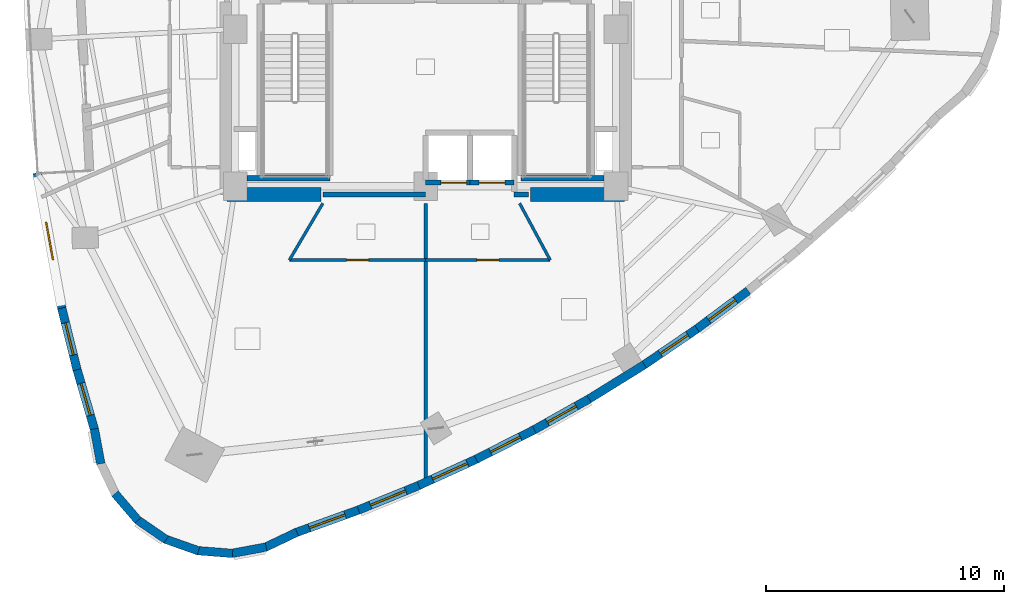
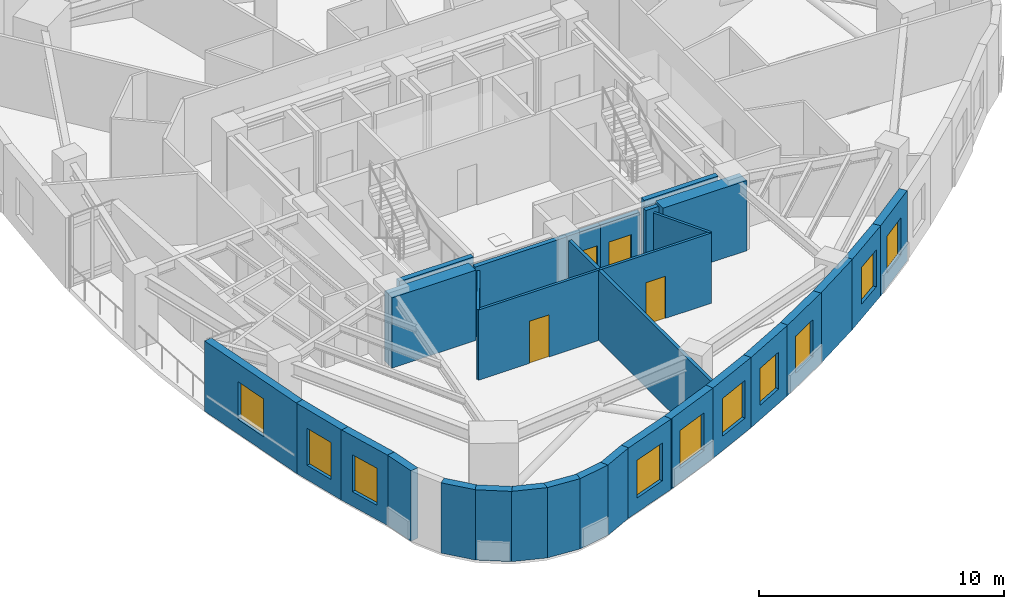
# One storey, part 6 of 13: 31 walls, 10 windows, 4 doors, 14 openings.
"""IFC4 building model written with IfcOpenShell, lengths in metres."""

from ifc_helpers import new_model, si_unit, direction, frame, frame_2d, origin, place, context, subcontext, project, spatial, rectangle, extrude, material, layer, layer_set, type_object, element, fill, save


model = new_model("IFC4")

# Units and contexts
model_context = context("Model", 3, precision=1e-05, world=origin(), true_north=direction((0.0, 1.0)))
body_context = subcontext(model_context, "Body", "Model", "MODEL_VIEW")
ifc_project = project(units=[si_unit("LENGTHUNIT", "METRE"), si_unit("AREAUNIT", "SQUARE_METRE"), si_unit("VOLUMEUNIT", "CUBIC_METRE"), si_unit("PLANEANGLEUNIT", "RADIAN"), si_unit("MASSUNIT", "GRAM", prefix="KILO")], contexts=[model_context])

# Site, building, storey
site_placement = place(None, origin())
site = spatial("IfcSite", under=ifc_project, at=site_placement, CompositionType="ELEMENT")
building_placement = place(site_placement, origin())
building = spatial("IfcBuilding", under=site, at=building_placement, Name="Ndelora Gate Hotel", CompositionType="ELEMENT")
storey_placement = place(building_placement, frame((0.0, 0.0, 134.75)))
storey = spatial("IfcBuildingStorey", under=building, at=storey_placement, Name="L33", CompositionType="ELEMENT", Elevation=134.75)

# Wall, opening, window
ifc_material_1 = material(Name="Clay Brick Masonry", Category="masonry")
ifc_layer_1 = layer(ifc_material_1, 0.360107421875)
ifc_layer_set_1 = layer_set([ifc_layer_1], Name="Clay Brick Masonry")
wall_type_1 = type_object("IfcWallType", Name="WL-BRICK-360", PredefinedType="SOLIDWALL", material=ifc_layer_set_1)
wall_1_placement = place(storey_placement, frame((-15.283935546875, -11.77099609375, 0.0), z_axis=(0.0, 0.0, 1.0), x_axis=(-0.178697394158, 0.983904081362, 0.0)))
wall_1 = element("IfcWall", 1, at=wall_1_placement, inside=storey, type_object=wall_type_1, Name="L33 Tower Brick Pier-and-Spandrel Wall TWR-16", PredefinedType="SOLIDWALL", context=body_context, shape_type="SweptSolid", body=[
    extrude(rectangle(XDim=5.826904296875, YDim=0.360107421875, at=frame_2d((2.91357421875, 0.0))), origin(), (0.0, 0.0, 1.0), 3.5),
])
opening_1_placement = place(wall_1_placement, frame((2.11328125, 0.0, 0.719970703125)))
opening_1 = element("IfcOpeningElement", 2, at=opening_1_placement, cuts=wall_1, Name="Opening W01", PredefinedType="OPENING", context=body_context, shape_type="SweptSolid", body=[
    extrude(rectangle(XDim=1.60009765625, YDim=1.8798828125, at=frame_2d((0.800048828125, 0.93994140625))), frame((0.0, 0.18994140625, 0.0), z_axis=(0.0, -1.0, 0.0), x_axis=(1.0, 0.0, 0.0)), (0.0, 0.0, 1.0), 0.380126953125),
])
ifc_material_2 = material(Name="Insulated Low-E Double Glazing in Bronze Aluminium Frame", Category="aluminium")
window_type_1 = type_object("IfcWindowType", Name="WN-DEEP-1600", PartitioningType="SINGLE_PANEL", PredefinedType="WINDOW", material=ifc_material_2)
window_1_placement = place(opening_1_placement, origin())
window_1 = element("IfcWindow", 3, at=window_1_placement, inside=storey, type_object=window_type_1, Name="L33 Deep-Set Brick-Pier Window W01", OverallHeight=1.8798828125, OverallWidth=1.60009765625, PartitioningType="SINGLE_PANEL", PredefinedType="WINDOW", context=body_context, shape_type="SweptSolid", body=[
    extrude(rectangle(XDim=1.60009765625, YDim=1.8798828125, at=frame_2d((0.800048828125, 0.93994140625))), frame((0.0, 0.030029296875, 0.0), z_axis=(0.0, -1.0, 0.0), x_axis=(1.0, 0.0, 0.0)), (0.0, 0.0, 1.0), 0.06005859375),
])
fill(opening_1, window_1)

wall_2_placement = place(storey_placement, frame((-14.64990234375, -14.312744140625, 0.0), z_axis=(0.0, 0.0, 1.0), x_axis=(-0.24143802429, 0.97041624081, 0.0)))
wall_2 = element("IfcWall", 4, at=wall_2_placement, inside=storey, type_object=wall_type_1, Name="L33 Tower Brick Pier-and-Spandrel Wall TWR-17", PredefinedType="SOLIDWALL", context=body_context, shape_type="SweptSolid", body=[
    extrude(rectangle(XDim=2.66943359375, YDim=0.360107421875, at=frame_2d((1.334716796875, 0.0))), origin(), (0.0, 0.0, 1.0), 3.5),
])
opening_2_placement = place(wall_2_placement, frame((0.634765625, 0.0, 0.719970703125)))
opening_2 = element("IfcOpeningElement", 5, at=opening_2_placement, cuts=wall_2, Name="Opening W02", PredefinedType="OPENING", context=body_context, shape_type="SweptSolid", body=[
    extrude(rectangle(XDim=1.39990234375, YDim=1.840087890625, at=frame_2d((0.699951171875, 0.919921875))), frame((0.0, 0.18994140625, 0.0), z_axis=(0.0, -1.0, 0.0), x_axis=(1.0, 0.0, 0.0)), (0.0, 0.0, 1.0), 0.380126953125),
])
window_type_2 = type_object("IfcWindowType", Name="WN-DEEP-1400", PartitioningType="SINGLE_PANEL", PredefinedType="WINDOW", material=ifc_material_2)
window_2_placement = place(opening_2_placement, origin())
window_2 = element("IfcWindow", 6, at=window_2_placement, inside=storey, type_object=window_type_2, Name="L33 Deep-Set Brick-Pier Window W02", OverallHeight=1.840087890625, OverallWidth=1.39990234375, PartitioningType="SINGLE_PANEL", PredefinedType="WINDOW", context=body_context, shape_type="SweptSolid", body=[
    extrude(rectangle(XDim=1.39990234375, YDim=1.840087890625, at=frame_2d((0.699951171875, 0.919921875))), frame((0.0, 0.030029296875, 0.0), z_axis=(0.0, -1.0, 0.0), x_axis=(1.0, 0.0, 0.0)), (0.0, 0.0, 1.0), 0.06005859375),
])
fill(opening_2, window_2)

wall_3_placement = place(storey_placement, frame((-13.91162109375, -16.84912109375, 0.0), z_axis=(0.0, 0.0, 1.0), x_axis=(-0.279174454366, 0.960240399082, 0.0)))
wall_3 = element("IfcWall", 7, at=wall_3_placement, inside=storey, type_object=wall_type_1, Name="L33 Tower Brick Pier-and-Spandrel Wall TWR-18", PredefinedType="SOLIDWALL", context=body_context, shape_type="SweptSolid", body=[
    extrude(rectangle(XDim=2.691650390625, YDim=0.360107421875, at=frame_2d((1.345703125, 0.0))), origin(), (0.0, 0.0, 1.0), 3.5),
])
opening_3_placement = place(wall_3_placement, frame((0.645751953125, 0.0, 0.719970703125)))
opening_3 = element("IfcOpeningElement", 8, at=opening_3_placement, cuts=wall_3, Name="Opening W02", PredefinedType="OPENING", context=body_context, shape_type="SweptSolid", body=[
    extrude(rectangle(XDim=1.39990234375, YDim=1.840087890625, at=frame_2d((0.699951171875, 0.919921875))), frame((0.0, 0.18994140625, 0.0), z_axis=(0.0, -1.0, 0.0), x_axis=(1.0, 0.0, 0.0)), (0.0, 0.0, 1.0), 0.380126953125),
])
window_3_placement = place(opening_3_placement, origin())
window_3 = element("IfcWindow", 9, at=window_3_placement, inside=storey, type_object=window_type_2, Name="L33 Deep-Set Brick-Pier Window W02", OverallHeight=1.840087890625, OverallWidth=1.39990234375, PartitioningType="SINGLE_PANEL", PredefinedType="WINDOW", context=body_context, shape_type="SweptSolid", body=[
    extrude(rectangle(XDim=1.39990234375, YDim=1.840087890625, at=frame_2d((0.699951171875, 0.919921875))), frame((0.0, 0.030029296875, 0.0), z_axis=(0.0, -1.0, 0.0), x_axis=(1.0, 0.0, 0.0)), (0.0, 0.0, 1.0), 0.06005859375),
])
fill(opening_3, window_3)

# Walls
wall_4_placement = place(storey_placement, frame((-13.65234375, -18.26171875, 0.0), z_axis=(0.0, 0.0, 1.0), x_axis=(-0.18235397995, 0.983232945947, 0.0)))
element("IfcWall", 10, at=wall_4_placement, inside=storey, type_object=wall_type_1, Name="L33 Tower Brick Pier-and-Spandrel Wall TWR-19", PredefinedType="SOLIDWALL", context=body_context, shape_type="SweptSolid", body=[
    extrude(rectangle(XDim=1.486083984375, YDim=0.360107421875, at=frame_2d((0.7431640625, 0.0))), origin(), (0.0, 0.0, 1.0), 3.5),
])
wall_5_placement = place(storey_placement, frame((-12.090087890625, -20.643798828125, 0.0), z_axis=(0.0, 0.0, 1.0), x_axis=(-0.649477934003, 0.760380439809, 0.0)))
element("IfcWall", 11, at=wall_5_placement, inside=storey, type_object=wall_type_1, Name="L33 Tower Brick Pier-and-Spandrel Wall TWR-21", PredefinedType="SOLIDWALL", context=body_context, shape_type="SweptSolid", body=[
    extrude(rectangle(XDim=1.48583984375, YDim=0.360107421875, at=frame_2d((0.742919921875, 0.0))), origin(), (0.0, 0.0, 1.0), 3.5),
])
wall_6_placement = place(storey_placement, frame((-10.902587890625, -21.4521484375, 0.0), z_axis=(0.0, 0.0, 1.0), x_axis=(-0.824104250472, 0.566438155808, 0.0)))
element("IfcWall", 12, at=wall_6_placement, inside=storey, type_object=wall_type_1, Name="L33 Tower Brick Pier-and-Spandrel Wall TWR-22", PredefinedType="SOLIDWALL", context=body_context, shape_type="SweptSolid", body=[
    extrude(rectangle(XDim=1.485595703125, YDim=0.360107421875, at=frame_2d((0.74267578125, 0.0))), origin(), (0.0, 0.0, 1.0), 3.5),
])
wall_7_placement = place(storey_placement, frame((-9.546142578125, -21.925537109375, 0.0), z_axis=(0.0, 0.0, 1.0), x_axis=(-0.942671384708, 0.33372243025, 0.0)))
element("IfcWall", 13, at=wall_7_placement, inside=storey, type_object=wall_type_1, Name="L33 Tower Brick Pier-and-Spandrel Wall TWR-23", PredefinedType="SOLIDWALL", context=body_context, shape_type="SweptSolid", body=[
    extrude(rectangle(XDim=1.48583984375, YDim=0.360107421875, at=frame_2d((0.742919921875, 0.0))), origin(), (0.0, 0.0, 1.0), 3.5),
])
wall_8_placement = place(storey_placement, frame((-8.113525390625, -22.03173828125, 0.0), z_axis=(0.0, 0.0, 1.0), x_axis=(-0.996922531952, 0.078393018091, 0.0)))
element("IfcWall", 14, at=wall_8_placement, inside=storey, type_object=wall_type_1, Name="L33 Tower Brick Pier-and-Spandrel Wall TWR-24", PredefinedType="SOLIDWALL", context=body_context, shape_type="SweptSolid", body=[
    extrude(rectangle(XDim=1.485595703125, YDim=0.360107421875, at=frame_2d((0.74267578125, 0.0))), origin(), (0.0, 0.0, 1.0), 3.5),
])
wall_9_placement = place(storey_placement, frame((-6.701904296875, -21.763671875, 0.0), z_axis=(0.0, 0.0, 1.0), x_axis=(-0.983262389335, -0.182195152844, 0.0)))
element("IfcWall", 15, at=wall_9_placement, inside=storey, type_object=wall_type_1, Name="L33 Tower Brick Pier-and-Spandrel Wall TWR-25", PredefinedType="SOLIDWALL", context=body_context, shape_type="SweptSolid", body=[
    extrude(rectangle(XDim=1.486083984375, YDim=0.360107421875, at=frame_2d((0.7431640625, 0.0))), origin(), (0.0, 0.0, 1.0), 3.5),
])
wall_10_placement = place(storey_placement, frame((-5.408203125, -21.139404296875, 0.0), z_axis=(0.0, 0.0, 1.0), x_axis=(-0.902586982789, -0.430507535938, 0.0)))
element("IfcWall", 16, at=wall_10_placement, inside=storey, type_object=wall_type_1, Name="L33 Tower Brick Pier-and-Spandrel Wall TWR-26", PredefinedType="SOLIDWALL", context=body_context, shape_type="SweptSolid", body=[
    extrude(rectangle(XDim=1.48583984375, YDim=0.360107421875, at=frame_2d((0.742919921875, 0.0))), origin(), (0.0, 0.0, 1.0), 3.5),
])

# Wall, opening, window
wall_11_placement = place(storey_placement, frame((-2.8193359375, -20.207763671875, 0.0), z_axis=(0.0, 0.0, 1.0), x_axis=(-0.94061266542, -0.339481683822, 0.0)))
wall_11 = element("IfcWall", 17, at=wall_11_placement, inside=storey, type_object=wall_type_1, Name="L33 Tower Brick Pier-and-Spandrel Wall TWR-27", PredefinedType="SOLIDWALL", context=body_context, shape_type="SweptSolid", body=[
    extrude(rectangle(XDim=2.801025390625, YDim=0.360107421875, at=frame_2d((1.400390625, 0.0))), origin(), (0.0, 0.0, 1.0), 3.5),
])
opening_4_placement = place(wall_11_placement, frame((0.6005859375, 0.0, 0.719970703125)))
opening_4 = element("IfcOpeningElement", 18, at=opening_4_placement, cuts=wall_11, Name="Opening W01", PredefinedType="OPENING", context=body_context, shape_type="SweptSolid", body=[
    extrude(rectangle(XDim=1.60009765625, YDim=1.8798828125, at=frame_2d((0.800048828125, 0.93994140625))), frame((0.0, 0.18994140625, 0.0), z_axis=(0.0, -1.0, 0.0), x_axis=(1.0, 0.0, 0.0)), (0.0, 0.0, 1.0), 0.380126953125),
])
window_4_placement = place(opening_4_placement, origin())
window_4 = element("IfcWindow", 19, at=window_4_placement, inside=storey, type_object=window_type_1, Name="L33 Deep-Set Brick-Pier Window W01", OverallHeight=1.8798828125, OverallWidth=1.60009765625, PartitioningType="SINGLE_PANEL", PredefinedType="WINDOW", context=body_context, shape_type="SweptSolid", body=[
    extrude(rectangle(XDim=1.60009765625, YDim=1.8798828125, at=frame_2d((0.800048828125, 0.93994140625))), frame((0.0, 0.030029296875, 0.0), z_axis=(0.0, -1.0, 0.0), x_axis=(1.0, 0.0, 0.0)), (0.0, 0.0, 1.0), 0.06005859375),
])
fill(opening_4, window_4)

wall_12_placement = place(storey_placement, frame((-0.293701171875, -19.177734375, 0.0), z_axis=(0.0, 0.0, 1.0), x_axis=(-0.926106009393, -0.377263381958, 0.0)))
wall_12 = element("IfcWall", 20, at=wall_12_placement, inside=storey, type_object=wall_type_1, Name="L33 Tower Brick Pier-and-Spandrel Wall TWR-28", PredefinedType="SOLIDWALL", context=body_context, shape_type="SweptSolid", body=[
    extrude(rectangle(XDim=2.777587890625, YDim=0.360107421875, at=frame_2d((1.388671875, 0.0))), origin(), (0.0, 0.0, 1.0), 3.5),
])
opening_5_placement = place(wall_12_placement, frame((0.5888671875, 0.0, 0.719970703125)))
opening_5 = element("IfcOpeningElement", 21, at=opening_5_placement, cuts=wall_12, Name="Opening W01", PredefinedType="OPENING", context=body_context, shape_type="SweptSolid", body=[
    extrude(rectangle(XDim=1.60009765625, YDim=1.8798828125, at=frame_2d((0.800048828125, 0.93994140625))), frame((0.0, 0.18994140625, 0.0), z_axis=(0.0, -1.0, 0.0), x_axis=(1.0, 0.0, 0.0)), (0.0, 0.0, 1.0), 0.380126953125),
])
window_5_placement = place(opening_5_placement, origin())
window_5 = element("IfcWindow", 22, at=window_5_placement, inside=storey, type_object=window_type_1, Name="L33 Deep-Set Brick-Pier Window W01", OverallHeight=1.8798828125, OverallWidth=1.60009765625, PartitioningType="SINGLE_PANEL", PredefinedType="WINDOW", context=body_context, shape_type="SweptSolid", body=[
    extrude(rectangle(XDim=1.60009765625, YDim=1.8798828125, at=frame_2d((0.800048828125, 0.93994140625))), frame((0.0, 0.030029296875, 0.0), z_axis=(0.0, -1.0, 0.0), x_axis=(1.0, 0.0, 0.0)), (0.0, 0.0, 1.0), 0.06005859375),
])
fill(opening_5, window_5)

wall_13_placement = place(storey_placement, frame((2.169677734375, -18.052001953125, 0.0), z_axis=(0.0, 0.0, 1.0), x_axis=(-0.909692365211, -0.415282796028, 0.0)))
wall_13 = element("IfcWall", 23, at=wall_13_placement, inside=storey, type_object=wall_type_1, Name="L33 Tower Brick Pier-and-Spandrel Wall TWR-29", PredefinedType="SOLIDWALL", context=body_context, shape_type="SweptSolid", body=[
    extrude(rectangle(XDim=2.75830078125, YDim=0.360107421875, at=frame_2d((1.379150390625, 0.0))), origin(), (0.0, 0.0, 1.0), 3.5),
])
opening_6_placement = place(wall_13_placement, frame((0.4599609375, 0.0, 0.719970703125)))
opening_6 = element("IfcOpeningElement", 24, at=opening_6_placement, cuts=wall_13, Name="Opening W03", PredefinedType="OPENING", context=body_context, shape_type="SweptSolid", body=[
    extrude(rectangle(XDim=1.60009765625, YDim=1.8798828125, at=frame_2d((0.800048828125, 0.93994140625))), frame((0.0, 0.18994140625, 0.0), z_axis=(0.0, -1.0, 0.0), x_axis=(1.0, 0.0, 0.0)), (0.0, 0.0, 1.0), 0.380126953125),
])
window_type_3 = type_object("IfcWindowType", Name="WN-CORN-2100", PartitioningType="SINGLE_PANEL", PredefinedType="WINDOW", material=ifc_material_2)
window_6_placement = place(opening_6_placement, origin())
window_6 = element("IfcWindow", 25, at=window_6_placement, inside=storey, type_object=window_type_3, Name="L33 Deep-Set Brick-Pier Window W03", OverallHeight=1.8798828125, OverallWidth=1.60009765625, PartitioningType="SINGLE_PANEL", PredefinedType="WINDOW", context=body_context, shape_type="SweptSolid", body=[
    extrude(rectangle(XDim=1.60009765625, YDim=1.8798828125, at=frame_2d((0.800048828125, 0.93994140625))), frame((0.0, 0.030029296875, 0.0), z_axis=(0.0, -1.0, 0.0), x_axis=(1.0, 0.0, 0.0)), (0.0, 0.0, 1.0), 0.06005859375),
])
fill(opening_6, window_6)

wall_14_placement = place(storey_placement, frame((4.571044921875, -16.830810546875, 0.0), z_axis=(0.0, 0.0, 1.0), x_axis=(-0.891561759687, -0.452899137406, 0.0)))
wall_14 = element("IfcWall", 26, at=wall_14_placement, inside=storey, type_object=wall_type_1, Name="L33 Tower Brick Pier-and-Spandrel Wall TWR-30", PredefinedType="SOLIDWALL", context=body_context, shape_type="SweptSolid", body=[
    extrude(rectangle(XDim=2.743896484375, YDim=0.360107421875, at=frame_2d((1.3720703125, 0.0))), origin(), (0.0, 0.0, 1.0), 3.5),
])
opening_7_placement = place(wall_14_placement, frame((0.672119140625, 0.0, 0.719970703125)))
opening_7 = element("IfcOpeningElement", 27, at=opening_7_placement, cuts=wall_14, Name="Opening W02", PredefinedType="OPENING", context=body_context, shape_type="SweptSolid", body=[
    extrude(rectangle(XDim=1.39990234375, YDim=1.840087890625, at=frame_2d((0.699951171875, 0.919921875))), frame((0.0, 0.18994140625, 0.0), z_axis=(0.0, -1.0, 0.0), x_axis=(1.0, 0.0, 0.0)), (0.0, 0.0, 1.0), 0.380126953125),
])
window_7_placement = place(opening_7_placement, origin())
window_7 = element("IfcWindow", 28, at=window_7_placement, inside=storey, type_object=window_type_2, Name="L33 Deep-Set Brick-Pier Window W02", OverallHeight=1.840087890625, OverallWidth=1.39990234375, PartitioningType="SINGLE_PANEL", PredefinedType="WINDOW", context=body_context, shape_type="SweptSolid", body=[
    extrude(rectangle(XDim=1.39990234375, YDim=1.840087890625, at=frame_2d((0.699951171875, 0.919921875))), frame((0.0, 0.030029296875, 0.0), z_axis=(0.0, -1.0, 0.0), x_axis=(1.0, 0.0, 0.0)), (0.0, 0.0, 1.0), 0.06005859375),
])
fill(opening_7, window_7)

wall_15_placement = place(storey_placement, frame((6.910400390625, -15.513916015625, 0.0), z_axis=(0.0, 0.0, 1.0), x_axis=(-0.871580305906, -0.490252761702, 0.0)))
wall_15 = element("IfcWall", 29, at=wall_15_placement, inside=storey, type_object=wall_type_1, Name="L33 Tower Brick Pier-and-Spandrel Wall TWR-31", PredefinedType="SOLIDWALL", context=body_context, shape_type="SweptSolid", body=[
    extrude(rectangle(XDim=2.734375, YDim=0.360107421875, at=frame_2d((1.3671875, 0.0))), origin(), (0.0, 0.0, 1.0), 3.5),
])
opening_8_placement = place(wall_15_placement, frame((0.667236328125, 0.0, 0.719970703125)))
opening_8 = element("IfcOpeningElement", 30, at=opening_8_placement, cuts=wall_15, Name="Opening W02", PredefinedType="OPENING", context=body_context, shape_type="SweptSolid", body=[
    extrude(rectangle(XDim=1.39990234375, YDim=1.840087890625, at=frame_2d((0.699951171875, 0.919921875))), frame((0.0, 0.18994140625, 0.0), z_axis=(0.0, -1.0, 0.0), x_axis=(1.0, 0.0, 0.0)), (0.0, 0.0, 1.0), 0.380126953125),
])
window_8_placement = place(opening_8_placement, origin())
window_8 = element("IfcWindow", 31, at=window_8_placement, inside=storey, type_object=window_type_2, Name="L33 Deep-Set Brick-Pier Window W02", OverallHeight=1.840087890625, OverallWidth=1.39990234375, PartitioningType="SINGLE_PANEL", PredefinedType="WINDOW", context=body_context, shape_type="SweptSolid", body=[
    extrude(rectangle(XDim=1.39990234375, YDim=1.840087890625, at=frame_2d((0.699951171875, 0.919921875))), frame((0.0, 0.030029296875, 0.0), z_axis=(0.0, -1.0, 0.0), x_axis=(1.0, 0.0, 0.0)), (0.0, 0.0, 1.0), 0.06005859375),
])
fill(opening_8, window_8)

# Wall
wall_16_placement = place(storey_placement, frame((9.187744140625, -14.101806640625, 0.0), z_axis=(0.0, 0.0, 1.0), x_axis=(-0.850066866235, -0.526674779091, 0.0)))
element("IfcWall", 32, at=wall_16_placement, inside=storey, type_object=wall_type_1, Name="L33 Tower Brick Pier-and-Spandrel Wall TWR-32", PredefinedType="SOLIDWALL", context=body_context, shape_type="SweptSolid", body=[
    extrude(rectangle(XDim=2.729736328125, YDim=0.360107421875, at=frame_2d((1.36474609375, 0.0))), origin(), (0.0, 0.0, 1.0), 3.5),
])

# Wall, opening, window
wall_17_placement = place(storey_placement, frame((11.40283203125, -12.593994140625, 0.0), z_axis=(0.0, 0.0, 1.0), x_axis=(-0.826868273885, -0.562395641557, 0.0)))
wall_17 = element("IfcWall", 33, at=wall_17_placement, inside=storey, type_object=wall_type_1, Name="L33 Tower Brick Pier-and-Spandrel Wall TWR-33", PredefinedType="SOLIDWALL", context=body_context, shape_type="SweptSolid", body=[
    extrude(rectangle(XDim=2.729736328125, YDim=0.360107421875, at=frame_2d((1.36474609375, 0.0))), origin(), (0.0, 0.0, 1.0), 3.5),
])
opening_9_placement = place(wall_17_placement, frame((0.4599609375, 0.0, 0.719970703125)))
opening_9 = element("IfcOpeningElement", 34, at=opening_9_placement, cuts=wall_17, Name="Opening W02", PredefinedType="OPENING", context=body_context, shape_type="SweptSolid", body=[
    extrude(rectangle(XDim=1.39990234375, YDim=1.840087890625, at=frame_2d((0.699951171875, 0.919921875))), frame((0.0, 0.18994140625, 0.0), z_axis=(0.0, -1.0, 0.0), x_axis=(1.0, 0.0, 0.0)), (0.0, 0.0, 1.0), 0.380126953125),
])
window_9_placement = place(opening_9_placement, origin())
window_9 = element("IfcWindow", 35, at=window_9_placement, inside=storey, type_object=window_type_2, Name="L33 Deep-Set Brick-Pier Window W02", OverallHeight=1.840087890625, OverallWidth=1.39990234375, PartitioningType="SINGLE_PANEL", PredefinedType="WINDOW", context=body_context, shape_type="SweptSolid", body=[
    extrude(rectangle(XDim=1.39990234375, YDim=1.840087890625, at=frame_2d((0.699951171875, 0.919921875))), frame((0.0, 0.030029296875, 0.0), z_axis=(0.0, -1.0, 0.0), x_axis=(1.0, 0.0, 0.0)), (0.0, 0.0, 1.0), 0.06005859375),
])
fill(opening_9, window_9)

wall_18_placement = place(storey_placement, frame((13.555908203125, -10.990966796875, 0.0), z_axis=(0.0, 0.0, 1.0), x_axis=(-0.802329676415, -0.596881135859, 0.0)))
wall_18 = element("IfcWall", 36, at=wall_18_placement, inside=storey, type_object=wall_type_1, Name="L33 Tower Brick Pier-and-Spandrel Wall TWR-34", PredefinedType="SOLIDWALL", context=body_context, shape_type="SweptSolid", body=[
    extrude(rectangle(XDim=2.734375, YDim=0.360107421875, at=frame_2d((1.3671875, 0.0))), origin(), (0.0, 0.0, 1.0), 3.5),
])
opening_10_placement = place(wall_18_placement, frame((0.667236328125, 0.0, 0.719970703125)))
opening_10 = element("IfcOpeningElement", 37, at=opening_10_placement, cuts=wall_18, Name="Opening W02", PredefinedType="OPENING", context=body_context, shape_type="SweptSolid", body=[
    extrude(rectangle(XDim=1.39990234375, YDim=1.840087890625, at=frame_2d((0.699951171875, 0.919921875))), frame((0.0, 0.18994140625, 0.0), z_axis=(0.0, -1.0, 0.0), x_axis=(1.0, 0.0, 0.0)), (0.0, 0.0, 1.0), 0.380126953125),
])
window_10_placement = place(opening_10_placement, origin())
window_10 = element("IfcWindow", 38, at=window_10_placement, inside=storey, type_object=window_type_2, Name="L33 Deep-Set Brick-Pier Window W02", OverallHeight=1.840087890625, OverallWidth=1.39990234375, PartitioningType="SINGLE_PANEL", PredefinedType="WINDOW", context=body_context, shape_type="SweptSolid", body=[
    extrude(rectangle(XDim=1.39990234375, YDim=1.840087890625, at=frame_2d((0.699951171875, 0.919921875))), frame((0.0, 0.030029296875, 0.0), z_axis=(0.0, -1.0, 0.0), x_axis=(1.0, 0.0, 0.0)), (0.0, 0.0, 1.0), 0.06005859375),
])
fill(opening_10, window_10)

# Walls
ifc_material_3 = material(Name="Concrete C60/75", Category="concrete")
ifc_layer_2 = layer(ifc_material_3, 0.60009765625)
ifc_layer_set_2 = layer_set([ifc_layer_2], Name="Concrete C60/75")
wall_type_2 = type_object("IfcWallType", Name="WL-CORE-600", PredefinedType="SHEAR", material=ifc_layer_set_2)
for number, where, z_axis, x_axis, name in (
    (39, (-8.35009765625, -6.949951171875, 0.0), (0.0, 0.0, 1.0), (1.0, 0.0, 0.0), "L33 Core Shear Wall S-W"),
    (40, (4.39990234375, -6.949951171875, 0.0), (0.0, 0.0, 1.0), (1.0, 0.0, 0.0), "L33 Core Shear Wall S-E"),
):
    element("IfcWall", number, at=place(storey_placement, frame(where, z_axis=z_axis, x_axis=x_axis)), inside=storey, type_object=wall_type_2, Name=name, PredefinedType="SHEAR", context=body_context, shape_type="SweptSolid", body=[
        extrude(rectangle(XDim=3.9501953125, YDim=0.60009765625, at=frame_2d((1.97509765625, 0.0))), origin(), (0.0, 0.0, 1.0), 3.5),
    ])
ifc_material_4 = material(Name="Concrete C40/50", Category="concrete")
ifc_layer_3 = layer(ifc_material_4, 0.199951171875)
ifc_layer_set_3 = layer_set([ifc_layer_3], Name="Concrete C40/50")
wall_type_3 = type_object("IfcWallType", Name="WL-FIRE-200", PredefinedType="PARTITIONING", material=ifc_layer_set_3)
wall_19_placement = place(storey_placement, frame((-4.320068359375, -6.949951171875, 0.0), z_axis=(0.0, 0.0, 1.0), x_axis=(1.0, 0.0, 0.0)))
element("IfcWall", 41, at=wall_19_placement, inside=storey, type_object=wall_type_3, Name="L33 Interior Wall IW-2", PredefinedType="PARTITIONING", context=body_context, shape_type="SweptSolid", body=[
    extrude(rectangle(XDim=4.320068359375, YDim=0.199951171875, at=frame_2d((2.16015625, 0.0))), origin(), (0.0, 0.0, 1.0), 3.5),
])
wall_20_placement = place(storey_placement, frame((3.719970703125, -6.949951171875, 0.0), z_axis=(0.0, 0.0, 1.0), x_axis=(1.0, 0.0, 0.0)))
element("IfcWall", 42, at=wall_20_placement, inside=storey, type_object=wall_type_3, Name="L33 Interior Wall IW-2", PredefinedType="PARTITIONING", context=body_context, shape_type="SweptSolid", body=[
    extrude(rectangle(XDim=0.60009765625, YDim=0.199951171875, at=frame_2d((0.300048828125, 0.0))), origin(), (0.0, 0.0, 1.0), 3.5),
])
ifc_material_5 = material(Name="Fire-Rated Gypsum Stud Partition", Category="gypsum")
ifc_layer_4 = layer(ifc_material_5, 0.14990234375)
ifc_layer_set_4 = layer_set([ifc_layer_4], Name="Fire-Rated Gypsum Stud Partition")
wall_type_4 = type_object("IfcWallType", Name="WL-PART-150", PredefinedType="PARTITIONING", material=ifc_layer_set_4)
wall_21_placement = place(storey_placement, frame((0.0, -7.320068359375, 0.0), z_axis=(0.0, 0.0, 1.0), x_axis=(0.0, -1.0, 0.0)))
element("IfcWall", 43, at=wall_21_placement, inside=storey, type_object=wall_type_4, Name="L33 Interior Wall IW-5", PredefinedType="PARTITIONING", context=body_context, shape_type="SweptSolid", body=[
    extrude(rectangle(XDim=11.722412109375, YDim=0.14990234375, at=frame_2d((5.861328125, 0.0))), origin(), (0.0, 0.0, 1.0), 3.5),
])

# Wall, opening, door
ifc_layer_5 = layer(ifc_material_4, 0.219970703125)
ifc_layer_set_5 = layer_set([ifc_layer_5], Name="Concrete C40/50")
wall_type_5 = type_object("IfcWallType", Name="WL-SHAFT-220", PredefinedType="PARTITIONING", material=ifc_layer_set_5)
wall_22_placement = place(storey_placement, frame((0.0, -6.449951171875, 0.0), z_axis=(0.0, 0.0, 1.0), x_axis=(1.0, 0.0, 0.0)))
wall_22 = element("IfcWall", 44, at=wall_22_placement, inside=storey, type_object=wall_type_5, Name="L33 Interior Wall IW-1", PredefinedType="PARTITIONING", context=body_context, shape_type="SweptSolid", body=[
    extrude(rectangle(XDim=1.860107421875, YDim=0.219970703125, at=frame_2d((0.93017578125, 0.0))), origin(), (0.0, 0.0, 1.0), 3.1201171875),
])
opening_11_placement = place(wall_22_placement, frame((0.639892578125, 0.0, 0.0)))
opening_11 = element("IfcOpeningElement", 45, at=opening_11_placement, cuts=wall_22, Name="Opening LD2", PredefinedType="OPENING", context=body_context, shape_type="SweptSolid", body=[
    extrude(rectangle(XDim=1.080078125, YDim=2.14990234375, at=frame_2d((0.5400390625, 1.074951171875))), frame((0.0, 0.1201171875, 0.0), z_axis=(0.0, -1.0, 0.0), x_axis=(1.0, 0.0, 0.0)), (0.0, 0.0, 1.0), 0.239990234375),
])
ifc_material_6 = material(Name="Brushed Bronze Stainless Lift Landing Door", Category="metal")
door_type_1 = type_object("IfcDoorType", Name="DR-LD2", OperationType="DOUBLE_DOOR_SLIDING", PredefinedType="DOOR", material=ifc_material_6)
door_1_placement = place(opening_11_placement, origin())
door_1 = element("IfcDoor", 46, at=door_1_placement, inside=storey, type_object=door_type_1, Name="L33 Lift Landing Sliding Door P2A", OperationType="DOUBLE_DOOR_SLIDING", OverallHeight=2.14990234375, OverallWidth=1.080078125, PredefinedType="DOOR", context=body_context, shape_type="SweptSolid", body=[
    extrude(rectangle(XDim=1.080078125, YDim=2.14990234375, at=frame_2d((0.5400390625, 1.074951171875))), frame((0.0, 0.02490234375, 0.0), z_axis=(0.0, -1.0, 0.0), x_axis=(1.0, 0.0, 0.0)), (0.0, 0.0, 1.0), 0.050048828125),
])
fill(opening_11, door_1)

wall_23_placement = place(storey_placement, frame((1.860107421875, -6.449951171875, 0.0), z_axis=(0.0, 0.0, 1.0), x_axis=(1.0, 0.0, 0.0)))
wall_23 = element("IfcWall", 47, at=wall_23_placement, inside=storey, type_object=wall_type_5, Name="L33 Interior Wall IW-1", PredefinedType="PARTITIONING", context=body_context, shape_type="SweptSolid", body=[
    extrude(rectangle(XDim=1.85986328125, YDim=0.219970703125, at=frame_2d((0.929931640625, 0.0))), origin(), (0.0, 0.0, 1.0), 3.1201171875),
])
opening_12_placement = place(wall_23_placement, frame((0.389892578125, 0.0, 0.0)))
opening_12 = element("IfcOpeningElement", 48, at=opening_12_placement, cuts=wall_23, Name="Opening LD2", PredefinedType="OPENING", context=body_context, shape_type="SweptSolid", body=[
    extrude(rectangle(XDim=1.080078125, YDim=2.14990234375, at=frame_2d((0.5400390625, 1.074951171875))), frame((0.0, 0.1201171875, 0.0), z_axis=(0.0, -1.0, 0.0), x_axis=(1.0, 0.0, 0.0)), (0.0, 0.0, 1.0), 0.239990234375),
])
door_2_placement = place(opening_12_placement, origin())
door_2 = element("IfcDoor", 49, at=door_2_placement, inside=storey, type_object=door_type_1, Name="L33 Lift Landing Sliding Door P2B", OperationType="DOUBLE_DOOR_SLIDING", OverallHeight=2.14990234375, OverallWidth=1.080078125, PredefinedType="DOOR", context=body_context, shape_type="SweptSolid", body=[
    extrude(rectangle(XDim=1.080078125, YDim=2.14990234375, at=frame_2d((0.5400390625, 1.074951171875))), frame((0.0, 0.02490234375, 0.0), z_axis=(0.0, -1.0, 0.0), x_axis=(1.0, 0.0, 0.0)), (0.0, 0.0, 1.0), 0.050048828125),
])
fill(opening_12, door_2)

# Walls
ifc_material_7 = material(Name="Concrete C50/60", Category="concrete")
ifc_layer_6 = layer(ifc_material_7, 0.239990234375)
ifc_layer_set_6 = layer_set([ifc_layer_6], Name="Concrete C50/60")
wall_type_6 = type_object("IfcWallType", Name="WL-STAIR-240", PredefinedType="SHEAR", material=ifc_layer_set_6)
for number, where, z_axis, x_axis, name in (
    (50, (-7.5, -6.27001953125, 0.0), (0.0, 0.0, 1.0), (1.0, 0.0, 0.0), "L33 Stair Core Shear Wall SW-ST"),
    (51, (4.010009765625, -6.27001953125, 0.0), (0.0, 0.0, 1.0), (1.0, 0.0, 0.0), "L33 Stair Core Shear Wall SW-ST"),
):
    element("IfcWall", number, at=place(storey_placement, frame(where, z_axis=z_axis, x_axis=x_axis)), inside=storey, type_object=wall_type_6, Name=name, PredefinedType="SHEAR", context=body_context, shape_type="SweptSolid", body=[
        extrude(rectangle(XDim=3.489990234375, YDim=0.239990234375, at=frame_2d((1.7451171875, 0.0))), origin(), (0.0, 0.0, 1.0), 3.5),
    ])

# Wall, opening, door
ifc_material_8 = material(Name="Moisture-Resistant Bathroom Tile Partition", Category="gypsum")
ifc_layer_7 = layer(ifc_material_8, 0.1201171875)
ifc_layer_set_7 = layer_set([ifc_layer_7], Name="Moisture-Resistant Bathroom Tile Partition")
wall_type_7 = type_object("IfcWallType", Name="WL-WET-120", PredefinedType="PARTITIONING", material=ifc_layer_set_7)
wall_24_placement = place(storey_placement, frame((0.0, -9.699951171875, 0.0), z_axis=(0.0, 0.0, 1.0), x_axis=(-1.0, 0.0, 0.0)))
wall_24 = element("IfcWall", 52, at=wall_24_placement, inside=storey, type_object=wall_type_7, Name="L33 Interior Wall IW-7", PredefinedType="PARTITIONING", context=body_context, shape_type="SweptSolid", body=[
    extrude(rectangle(XDim=5.723876953125, YDim=0.1201171875, at=frame_2d((2.86181640625, 0.0))), origin(), (0.0, 0.0, 1.0), 3.5),
])
opening_13_placement = place(wall_24_placement, frame((2.40185546875, 0.0, 0.0)))
opening_13 = element("IfcOpeningElement", 53, at=opening_13_placement, cuts=wall_24, Name="Opening D03", PredefinedType="OPENING", context=body_context, shape_type="SweptSolid", body=[
    extrude(rectangle(XDim=0.919921875, YDim=2.10009765625, at=frame_2d((0.4599609375, 1.050048828125))), frame((0.0, 0.070068359375, 0.0), z_axis=(0.0, -1.0, 0.0), x_axis=(1.0, 0.0, 0.0)), (0.0, 0.0, 1.0), 0.14013671875),
])
ifc_material_9 = material(Name="Moisture-Resistant Hardwood En-Suite Door", Category="wood")
door_type_2 = type_object("IfcDoorType", Name="DR-BATH-920", OperationType="SINGLE_SWING_LEFT", PredefinedType="DOOR", material=ifc_material_9)
door_3_placement = place(opening_13_placement, origin())
door_3 = element("IfcDoor", 54, at=door_3_placement, inside=storey, type_object=door_type_2, Name="L33 En-suite Bathroom 3601 Door", OperationType="SINGLE_SWING_RIGHT", OverallHeight=2.10009765625, OverallWidth=0.919921875, PredefinedType="DOOR", context=body_context, shape_type="SweptSolid", body=[
    extrude(rectangle(XDim=0.919921875, YDim=2.10009765625, at=frame_2d((0.4599609375, 1.050048828125))), frame((0.0, 0.02490234375, 0.0), z_axis=(0.0, -1.0, 0.0), x_axis=(1.0, 0.0, 0.0)), (0.0, 0.0, 1.0), 0.050048828125),
])
fill(opening_13, door_3)

# Walls
wall_25_placement = place(storey_placement, frame((-4.3193359375, -7.320068359375, 0.0), z_axis=(0.0, 0.0, 1.0), x_axis=(-0.508258955423, -0.861204292971, 0.0)))
element("IfcWall", 55, at=wall_25_placement, inside=storey, type_object=wall_type_7, Name="L33 Interior Wall IW-7", PredefinedType="PARTITIONING", context=body_context, shape_type="SweptSolid", body=[
    extrude(rectangle(XDim=2.763427734375, YDim=0.1201171875, at=frame_2d((1.3818359375, 0.0))), origin(), (0.0, 0.0, 1.0), 3.5),
])
wall_26_placement = place(storey_placement, frame((3.947265625, -7.320068359375, 0.0), z_axis=(0.0, 0.0, 1.0), x_axis=(0.474665085806, -0.880166493521, 0.0)))
element("IfcWall", 56, at=wall_26_placement, inside=storey, type_object=wall_type_7, Name="L33 Interior Wall IW-7", PredefinedType="PARTITIONING", context=body_context, shape_type="SweptSolid", body=[
    extrude(rectangle(XDim=2.703857421875, YDim=0.1201171875, at=frame_2d((1.35205078125, 0.0))), origin(), (0.0, 0.0, 1.0), 3.5),
])

# Wall, opening, door
wall_27_placement = place(storey_placement, frame((5.230712890625, -9.699951171875, 0.0), z_axis=(0.0, 0.0, 1.0), x_axis=(-1.0, 0.0, 0.0)))
wall_27 = element("IfcWall", 57, at=wall_27_placement, inside=storey, type_object=wall_type_7, Name="L33 Interior Wall IW-7", PredefinedType="PARTITIONING", context=body_context, shape_type="SweptSolid", body=[
    extrude(rectangle(XDim=5.230712890625, YDim=0.1201171875, at=frame_2d((2.615234375, 0.0))), origin(), (0.0, 0.0, 1.0), 3.5),
])
opening_14_placement = place(wall_27_placement, frame((2.155517578125, 0.0, 0.0)))
opening_14 = element("IfcOpeningElement", 58, at=opening_14_placement, cuts=wall_27, Name="Opening D03", PredefinedType="OPENING", context=body_context, shape_type="SweptSolid", body=[
    extrude(rectangle(XDim=0.919921875, YDim=2.10009765625, at=frame_2d((0.4599609375, 1.050048828125))), frame((0.0, 0.070068359375, 0.0), z_axis=(0.0, -1.0, 0.0), x_axis=(1.0, 0.0, 0.0)), (0.0, 0.0, 1.0), 0.14013671875),
])
door_4_placement = place(opening_14_placement, origin())
door_4 = element("IfcDoor", 59, at=door_4_placement, inside=storey, type_object=door_type_2, Name="L33 En-suite Bathroom 3602 Door", OperationType="SINGLE_SWING_LEFT", OverallHeight=2.10009765625, OverallWidth=0.919921875, PredefinedType="DOOR", context=body_context, shape_type="SweptSolid", body=[
    extrude(rectangle(XDim=0.919921875, YDim=2.10009765625, at=frame_2d((0.4599609375, 1.050048828125))), frame((0.0, 0.02490234375, 0.0), z_axis=(0.0, -1.0, 0.0), x_axis=(1.0, 0.0, 0.0)), (0.0, 0.0, 1.0), 0.050048828125),
])
fill(opening_14, door_4)

save(model, "model.ifc")
